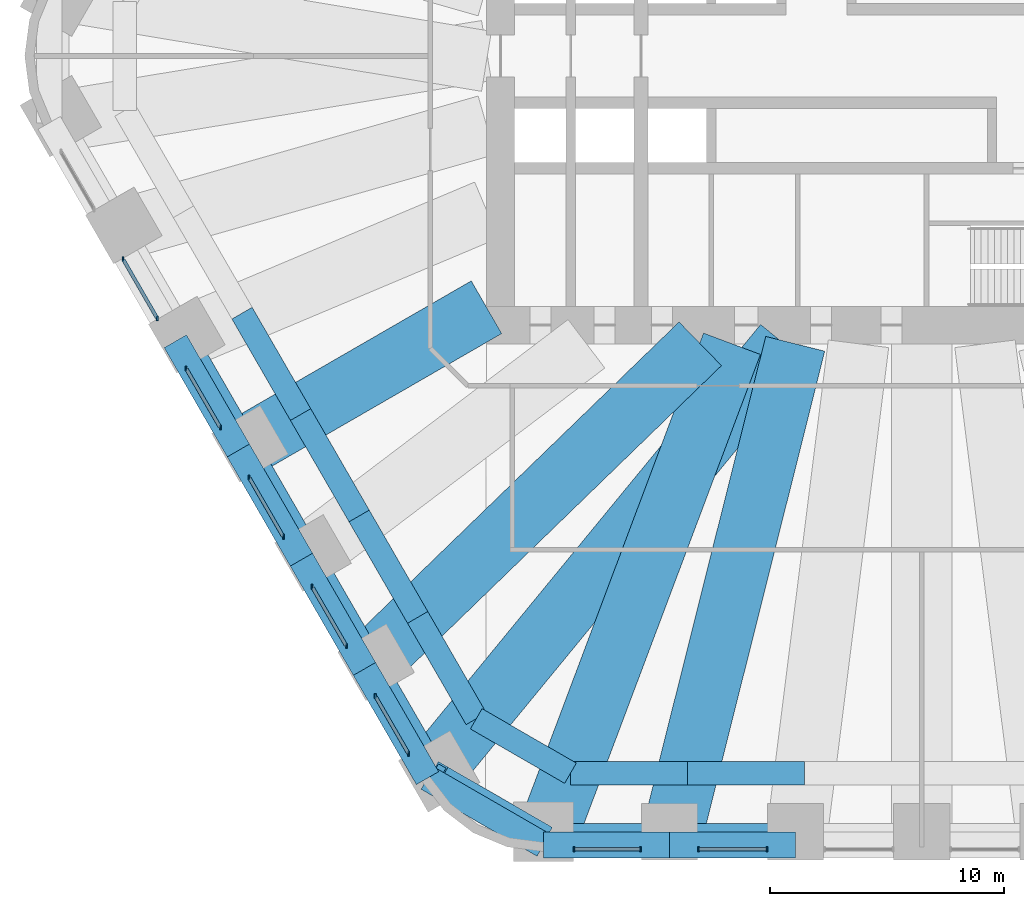
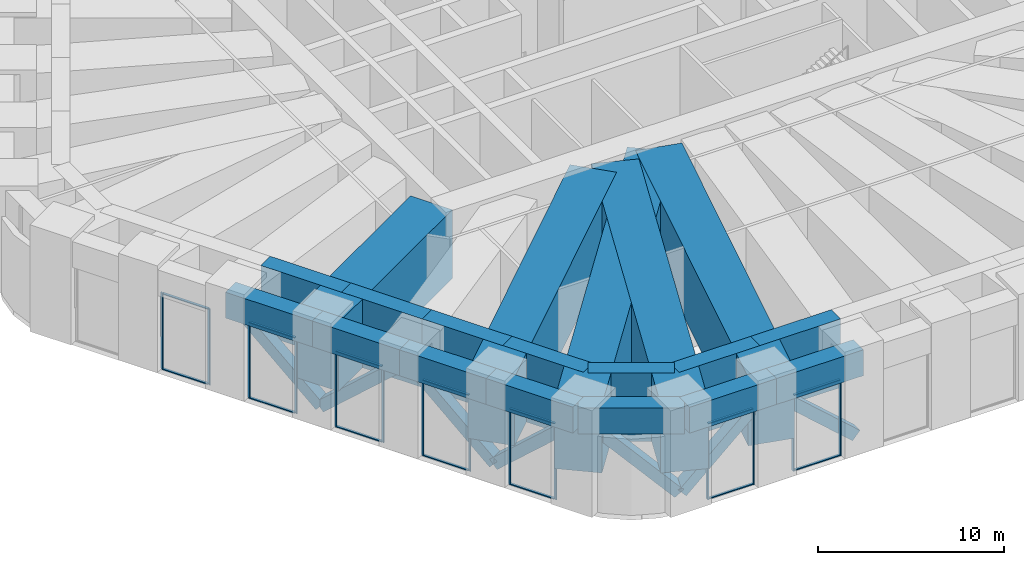
# One storey, part 2 of 17: 35 members, 19 beams, 7 elements without a shape of their own.
"""IFC4 building model written with IfcOpenShell, lengths in metres."""

from ifc_helpers import new_model, si_unit, direction, frame, origin, origin_2d, place, context, subcontext, project, spatial, rectangle, hollow_rectangle, extrude, material, material_profile, profile_set, type_object, element, aggregate, save


model = new_model("IFC4")

# Units and contexts
model_context = context("Model", 3, precision=1e-05, world=origin(), true_north=direction((0.0, 1.0)))
body_context = subcontext(model_context, "Body", "Model", "MODEL_VIEW")
ifc_project = project(units=[si_unit("LENGTHUNIT", "METRE"), si_unit("AREAUNIT", "SQUARE_METRE"), si_unit("VOLUMEUNIT", "CUBIC_METRE"), si_unit("PLANEANGLEUNIT", "RADIAN"), si_unit("MASSUNIT", "GRAM", prefix="KILO")], contexts=[model_context])

# Site, building, storey
site_placement = place(None, origin())
site = spatial("IfcSite", under=ifc_project, at=site_placement, CompositionType="ELEMENT")
building_placement = place(site_placement, origin())
building = spatial("IfcBuilding", under=site, at=building_placement, Name="Tarfa Lantern Tower", CompositionType="ELEMENT")
storey_placement = place(building_placement, frame((0.0, 0.0, 107.5)))
storey = spatial("IfcBuildingStorey", under=building, at=storey_placement, Name="L24", CompositionType="ELEMENT", Elevation=107.5)

# Members
ifc_material_1 = material(Name="Steel S460M", Category="steel")
ifc_material_profile_1 = material_profile(ifc_material_1, hollow_rectangle(XDim=0.699951171875, YDim=0.699951171875, WallThickness=0.080078125, at=origin_2d()), Name="BOX700x700x80")
ifc_profile_set_1 = profile_set([ifc_material_profile_1], Name="Steel S460M")
member_type_1 = type_object("IfcMemberType", Name="BT1 BOX700x700x80", PredefinedType="BRACE", material=ifc_profile_set_1)
for number, where, z_axis, x_axis, name in (
    (1, (-28.708740234375, -16.574951171875, 0.60009765625), (-0.373372204356, 0.64666874901, 0.665141132444), (-0.866015065331, -0.500017906299, 0.0), "Belt truss diagonal 24"),
    (2, (-28.708740234375, -16.574951171875, 0.60009765625), (0.373364035688, -0.646688432601, 0.66512658043), (0.866026392449, 0.499998287579, 0.0), "Belt truss diagonal 25"),
    (3, (-23.320068359375, -25.908447265625, 0.60009765625), (-0.373364035688, 0.646688432601, 0.66512658043), (-0.866026392449, -0.499998287579, 0.0), "Belt truss diagonal 26"),
    (4, (-23.320068359375, -25.908447265625, 0.60009765625), (0.373372204356, -0.64666874901, 0.665141132444), (0.866015065331, 0.500017906299, 0.0), "Belt truss diagonal 27"),
):
    element("IfcMember", number, at=place(storey_placement, frame(where, z_axis=z_axis, x_axis=x_axis)), inside=storey, type_object=member_type_1, Name=name, PredefinedType="BRACE", context=body_context, shape_type="SweptSolid", body=[
        extrude(hollow_rectangle(XDim=0.699951171875, YDim=0.699951171875, WallThickness=0.080078125, at=origin_2d()), origin(), (0.0, 0.0, 1.0), 7.21630859375),
    ])
member_1_placement = place(storey_placement, frame((-16.165771484375, -33.14990234375, 0.60009765625), z_axis=(-0.633529001799, 0.365766935733, 0.681803162654), x_axis=(-0.499998765615, -0.866026116456, 0.0)))
element("IfcMember", 5, at=member_1_placement, inside=storey, type_object=member_type_1, Name="Belt truss diagonal 28", PredefinedType="BRACE", context=body_context, shape_type="SweptSolid", body=[
    extrude(hollow_rectangle(XDim=0.699951171875, YDim=0.699951171875, WallThickness=0.080078125, at=origin_2d()), origin(), (0.0, 0.0, 1.0), 7.039794921875),
])
member_2_placement = place(storey_placement, frame((-16.165771484375, -33.14990234375, 0.60009765625), z_axis=(0.746729497416, 0.0, 0.665127850634), x_axis=(0.0, 1.0, 0.0)))
element("IfcMember", 6, at=member_2_placement, inside=storey, type_object=member_type_1, Name="Belt truss diagonal 29", PredefinedType="BRACE", context=body_context, shape_type="SweptSolid", body=[
    extrude(hollow_rectangle(XDim=0.699951171875, YDim=0.699951171875, WallThickness=0.080078125, at=origin_2d()), origin(), (0.0, 0.0, 1.0), 7.21630859375),
])
member_3_placement = place(storey_placement, frame((-5.388671875, -33.14990234375, 0.60009765625), z_axis=(-0.746714529948, 0.0, 0.665144654015), x_axis=(0.0, -1.0, 0.0)))
element("IfcMember", 7, at=member_3_placement, inside=storey, type_object=member_type_1, Name="Belt truss diagonal 30", PredefinedType="BRACE", context=body_context, shape_type="SweptSolid", body=[
    extrude(hollow_rectangle(XDim=0.699951171875, YDim=0.699951171875, WallThickness=0.080078125, at=origin_2d()), origin(), (0.0, 0.0, 1.0), 7.216064453125),
])

# Curtain wall, members
ifc_material_2 = material(Name="Aluminium framed curtain wall", Category="aluminium")
curtain_wall_type = type_object("IfcCurtainWallType", Name="CW6 LOUVRED SCREEN WALL 5000", PredefinedType="USERDEFINED", material=ifc_material_2)
curtain_wall_1_placement = place(storey_placement, origin())
curtain_wall_1 = element("IfcCurtainWall", 8, at=curtain_wall_1_placement, inside=storey, type_object=curtain_wall_type, Name="CW6 SW L24", ObjectType="CURTAIN WALL", PredefinedType="USERDEFINED")
ifc_material_3 = material(Name="Aluminium mullion", Category="aluminium")
ifc_material_profile_2 = material_profile(ifc_material_3, rectangle(XDim=0.06494140625, YDim=0.199951171875, at=origin_2d()), Name="AL MULLION 65x200")
ifc_profile_set_2 = profile_set([ifc_material_profile_2], Name="Aluminium mullion")
member_type_2 = type_object("IfcMemberType", Name="CWM1 MULLION 65x200", PredefinedType="MULLION", material=ifc_profile_set_2)
member_4_placement = place(storey_placement, frame((-34.130615234375, -8.68408203125, 0.0), z_axis=(0.0, 0.0, 1.0), x_axis=(1.0, 0.0, 0.0)))
member_4 = element("IfcMember", 9, at=member_4_placement, type_object=member_type_2, Name="CW6 mullion 1", PredefinedType="MULLION", context=body_context, shape_type="SweptSolid", body=[
    extrude(rectangle(XDim=0.06494140625, YDim=0.199951171875, at=origin_2d()), origin(), (0.0, 0.0, 1.0), 5.0),
])
member_5_placement = place(storey_placement, frame((-32.668701171875, -11.216064453125, 0.0), z_axis=(0.0, 0.0, 1.0), x_axis=(1.0, 0.0, 0.0)))
member_5 = element("IfcMember", 10, at=member_5_placement, type_object=member_type_2, Name="CW6 mullion 2", PredefinedType="MULLION", context=body_context, shape_type="SweptSolid", body=[
    extrude(rectangle(XDim=0.06494140625, YDim=0.199951171875, at=origin_2d()), origin(), (0.0, 0.0, 1.0), 5.0),
])

curtain_wall_2_placement = place(storey_placement, origin())
curtain_wall_2 = element("IfcCurtainWall", 11, at=curtain_wall_2_placement, inside=storey, type_object=curtain_wall_type, Name="CW6 SW L24", ObjectType="CURTAIN WALL", PredefinedType="USERDEFINED")
member_6_placement = place(storey_placement, frame((-31.436279296875, -13.350830078125, 0.0), z_axis=(0.0, 0.0, 1.0), x_axis=(1.0, 0.0, 0.0)))
member_6 = element("IfcMember", 12, at=member_6_placement, type_object=member_type_2, Name="CW6 mullion 1", PredefinedType="MULLION", context=body_context, shape_type="SweptSolid", body=[
    extrude(rectangle(XDim=0.06494140625, YDim=0.199951171875, at=origin_2d()), origin(), (0.0, 0.0, 1.0), 5.0),
])
member_7_placement = place(storey_placement, frame((-29.974609375, -15.882568359375, 0.0), z_axis=(0.0, 0.0, 1.0), x_axis=(1.0, 0.0, 0.0)))
member_7 = element("IfcMember", 13, at=member_7_placement, type_object=member_type_2, Name="CW6 mullion 2", PredefinedType="MULLION", context=body_context, shape_type="SweptSolid", body=[
    extrude(rectangle(XDim=0.06494140625, YDim=0.199951171875, at=origin_2d()), origin(), (0.0, 0.0, 1.0), 5.0),
])

curtain_wall_3_placement = place(storey_placement, origin())
curtain_wall_3 = element("IfcCurtainWall", 14, at=curtain_wall_3_placement, inside=storey, type_object=curtain_wall_type, Name="CW6 SW L24", ObjectType="CURTAIN WALL", PredefinedType="USERDEFINED")
member_8_placement = place(storey_placement, frame((-28.741943359375, -18.017333984375, 0.0), z_axis=(0.0, 0.0, 1.0), x_axis=(1.0, 0.0, 0.0)))
member_8 = element("IfcMember", 15, at=member_8_placement, type_object=member_type_2, Name="CW6 mullion 1", PredefinedType="MULLION", context=body_context, shape_type="SweptSolid", body=[
    extrude(rectangle(XDim=0.06494140625, YDim=0.199951171875, at=origin_2d()), origin(), (0.0, 0.0, 1.0), 5.0),
])
member_9_placement = place(storey_placement, frame((-27.2802734375, -20.54931640625, 0.0), z_axis=(0.0, 0.0, 1.0), x_axis=(1.0, 0.0, 0.0)))
member_9 = element("IfcMember", 16, at=member_9_placement, type_object=member_type_2, Name="CW6 mullion 2", PredefinedType="MULLION", context=body_context, shape_type="SweptSolid", body=[
    extrude(rectangle(XDim=0.06494140625, YDim=0.199951171875, at=origin_2d()), origin(), (0.0, 0.0, 1.0), 5.0),
])

curtain_wall_4_placement = place(storey_placement, origin())
curtain_wall_4 = element("IfcCurtainWall", 17, at=curtain_wall_4_placement, inside=storey, type_object=curtain_wall_type, Name="CW6 SW L24", ObjectType="CURTAIN WALL", PredefinedType="USERDEFINED")
member_10_placement = place(storey_placement, frame((-26.047607421875, -22.68408203125, 0.0), z_axis=(0.0, 0.0, 1.0), x_axis=(1.0, 0.0, 0.0)))
member_10 = element("IfcMember", 18, at=member_10_placement, type_object=member_type_2, Name="CW6 mullion 1", PredefinedType="MULLION", context=body_context, shape_type="SweptSolid", body=[
    extrude(rectangle(XDim=0.06494140625, YDim=0.199951171875, at=origin_2d()), origin(), (0.0, 0.0, 1.0), 5.0),
])
member_11_placement = place(storey_placement, frame((-24.5859375, -25.216064453125, 0.0), z_axis=(0.0, 0.0, 1.0), x_axis=(1.0, 0.0, 0.0)))
member_11 = element("IfcMember", 19, at=member_11_placement, type_object=member_type_2, Name="CW6 mullion 2", PredefinedType="MULLION", context=body_context, shape_type="SweptSolid", body=[
    extrude(rectangle(XDim=0.06494140625, YDim=0.199951171875, at=origin_2d()), origin(), (0.0, 0.0, 1.0), 5.0),
])

curtain_wall_5_placement = place(storey_placement, origin())
curtain_wall_5 = element("IfcCurtainWall", 20, at=curtain_wall_5_placement, inside=storey, type_object=curtain_wall_type, Name="CW6 SW L24", ObjectType="CURTAIN WALL", PredefinedType="USERDEFINED")
member_12_placement = place(storey_placement, frame((-23.353515625, -27.350830078125, 0.0), z_axis=(0.0, 0.0, 1.0), x_axis=(1.0, 0.0, 0.0)))
member_12 = element("IfcMember", 21, at=member_12_placement, type_object=member_type_2, Name="CW6 mullion 1", PredefinedType="MULLION", context=body_context, shape_type="SweptSolid", body=[
    extrude(rectangle(XDim=0.06494140625, YDim=0.199951171875, at=origin_2d()), origin(), (0.0, 0.0, 1.0), 5.0),
])
member_13_placement = place(storey_placement, frame((-21.92919921875, -29.817626953125, 0.0), z_axis=(0.0, 0.0, 1.0), x_axis=(1.0, 0.0, 0.0)))
member_13 = element("IfcMember", 22, at=member_13_placement, type_object=member_type_2, Name="CW6 mullion 2", PredefinedType="MULLION", context=body_context, shape_type="SweptSolid", body=[
    extrude(rectangle(XDim=0.06494140625, YDim=0.199951171875, at=origin_2d()), origin(), (0.0, 0.0, 1.0), 5.0),
])

curtain_wall_6_placement = place(storey_placement, origin())
curtain_wall_6 = element("IfcCurtainWall", 23, at=curtain_wall_6_placement, inside=storey, type_object=curtain_wall_type, Name="CW6 S L24", ObjectType="CURTAIN WALL", PredefinedType="USERDEFINED")
member_14_placement = place(storey_placement, frame((-14.8583984375, -33.89990234375, 0.0), z_axis=(0.0, 0.0, 1.0), x_axis=(1.0, 0.0, 0.0)))
member_14 = element("IfcMember", 24, at=member_14_placement, type_object=member_type_2, Name="CW6 mullion 1", PredefinedType="MULLION", context=body_context, shape_type="SweptSolid", body=[
    extrude(rectangle(XDim=0.06494140625, YDim=0.199951171875, at=origin_2d()), origin(), (0.0, 0.0, 1.0), 5.0),
])
member_15_placement = place(storey_placement, frame((-12.009765625, -33.89990234375, 0.0), z_axis=(0.0, 0.0, 1.0), x_axis=(1.0, 0.0, 0.0)))
member_15 = element("IfcMember", 25, at=member_15_placement, type_object=member_type_2, Name="CW6 mullion 2", PredefinedType="MULLION", context=body_context, shape_type="SweptSolid", body=[
    extrude(rectangle(XDim=0.06494140625, YDim=0.199951171875, at=origin_2d()), origin(), (0.0, 0.0, 1.0), 5.0),
])

curtain_wall_7_placement = place(storey_placement, origin())
curtain_wall_7 = element("IfcCurtainWall", 26, at=curtain_wall_7_placement, inside=storey, type_object=curtain_wall_type, Name="CW6 S L24", ObjectType="CURTAIN WALL", PredefinedType="USERDEFINED")
member_16_placement = place(storey_placement, frame((-9.544677734375, -33.89990234375, 0.0), z_axis=(0.0, 0.0, 1.0), x_axis=(1.0, 0.0, 0.0)))
member_16 = element("IfcMember", 27, at=member_16_placement, type_object=member_type_2, Name="CW6 mullion 1", PredefinedType="MULLION", context=body_context, shape_type="SweptSolid", body=[
    extrude(rectangle(XDim=0.06494140625, YDim=0.199951171875, at=origin_2d()), origin(), (0.0, 0.0, 1.0), 5.0),
])
member_17_placement = place(storey_placement, frame((-6.62109375, -33.89990234375, 0.0), z_axis=(0.0, 0.0, 1.0), x_axis=(1.0, 0.0, 0.0)))
member_17 = element("IfcMember", 28, at=member_17_placement, type_object=member_type_2, Name="CW6 mullion 2", PredefinedType="MULLION", context=body_context, shape_type="SweptSolid", body=[
    extrude(rectangle(XDim=0.06494140625, YDim=0.199951171875, at=origin_2d()), origin(), (0.0, 0.0, 1.0), 5.0),
])

# Member
ifc_material_4 = material(Name="Aluminium transom", Category="aluminium")
ifc_material_profile_3 = material_profile(ifc_material_4, rectangle(XDim=0.14990234375, YDim=0.06494140625, at=origin_2d()), Name="AL TRANSOM 150x65")
ifc_profile_set_3 = profile_set([ifc_material_profile_3], Name="Aluminium transom")
member_type_3 = type_object("IfcMemberType", Name="CWT1 TRANSOM 150x65", PredefinedType="USERDEFINED", material=ifc_profile_set_3)
member_18_placement = place(storey_placement, frame((-34.1142578125, -8.712158203125, 0.032470703125), z_axis=(0.499978750566, -0.866037671803, 0.0), x_axis=(0.866037671803, 0.499978750566, 0.0)))
member_18 = element("IfcMember", 29, at=member_18_placement, type_object=member_type_3, Name="CW6 transom 1.1", ObjectType="TRANSOM", PredefinedType="USERDEFINED", context=body_context, shape_type="SweptSolid", body=[
    extrude(rectangle(XDim=0.14990234375, YDim=0.06494140625, at=origin_2d()), origin(), (0.0, 0.0, 1.0), 2.8583984375),
])

member_19_placement = place(storey_placement, frame((-34.1142578125, -8.712158203125, 4.967529296875), z_axis=(0.499978750566, -0.866037671803, 0.0), x_axis=(0.866037671803, 0.499978750566, 0.0)))
member_19 = element("IfcMember", 30, at=member_19_placement, type_object=member_type_3, Name="CW6 transom 1.2", ObjectType="TRANSOM", PredefinedType="USERDEFINED", context=body_context, shape_type="SweptSolid", body=[
    extrude(rectangle(XDim=0.14990234375, YDim=0.06494140625, at=origin_2d()), origin(), (0.0, 0.0, 1.0), 2.8583984375),
])

aggregate(curtain_wall_1, [member_4, member_5, member_18, member_19])

member_20_placement = place(storey_placement, frame((-31.420166015625, -13.37890625, 0.032470703125), z_axis=(0.500042804318, -0.866000689289, 0.0), x_axis=(0.866000689289, 0.500042804318, 0.0)))
member_20 = element("IfcMember", 31, at=member_20_placement, type_object=member_type_3, Name="CW6 transom 1.1", ObjectType="TRANSOM", PredefinedType="USERDEFINED", context=body_context, shape_type="SweptSolid", body=[
    extrude(rectangle(XDim=0.14990234375, YDim=0.06494140625, at=origin_2d()), origin(), (0.0, 0.0, 1.0), 2.858642578125),
])

member_21_placement = place(storey_placement, frame((-31.420166015625, -13.37890625, 4.967529296875), z_axis=(0.500042804318, -0.866000689289, 0.0), x_axis=(0.866000689289, 0.500042804318, 0.0)))
member_21 = element("IfcMember", 32, at=member_21_placement, type_object=member_type_3, Name="CW6 transom 1.2", ObjectType="TRANSOM", PredefinedType="USERDEFINED", context=body_context, shape_type="SweptSolid", body=[
    extrude(rectangle(XDim=0.14990234375, YDim=0.06494140625, at=origin_2d()), origin(), (0.0, 0.0, 1.0), 2.858642578125),
])

aggregate(curtain_wall_2, [member_6, member_7, member_20, member_21])

member_22_placement = place(storey_placement, frame((-28.725830078125, -18.04541015625, 0.032470703125), z_axis=(0.500005823294, -0.866022041678, 0.0), x_axis=(0.866022041678, 0.500005823294, 0.0)))
member_22 = element("IfcMember", 33, at=member_22_placement, type_object=member_type_3, Name="CW6 transom 1.1", ObjectType="TRANSOM", PredefinedType="USERDEFINED", context=body_context, shape_type="SweptSolid", body=[
    extrude(rectangle(XDim=0.14990234375, YDim=0.06494140625, at=origin_2d()), origin(), (0.0, 0.0, 1.0), 2.85888671875),
])

member_23_placement = place(storey_placement, frame((-28.725830078125, -18.04541015625, 4.967529296875), z_axis=(0.500005823294, -0.866022041678, 0.0), x_axis=(0.866022041678, 0.500005823294, 0.0)))
member_23 = element("IfcMember", 34, at=member_23_placement, type_object=member_type_3, Name="CW6 transom 1.2", ObjectType="TRANSOM", PredefinedType="USERDEFINED", context=body_context, shape_type="SweptSolid", body=[
    extrude(rectangle(XDim=0.14990234375, YDim=0.06494140625, at=origin_2d()), origin(), (0.0, 0.0, 1.0), 2.85888671875),
])

aggregate(curtain_wall_3, [member_8, member_9, member_22, member_23])

member_24_placement = place(storey_placement, frame((-26.031494140625, -22.712158203125, 0.032470703125), z_axis=(0.500042804318, -0.866000689289, 0.0), x_axis=(0.866000689289, 0.500042804318, 0.0)))
member_24 = element("IfcMember", 35, at=member_24_placement, type_object=member_type_3, Name="CW6 transom 1.1", ObjectType="TRANSOM", PredefinedType="USERDEFINED", context=body_context, shape_type="SweptSolid", body=[
    extrude(rectangle(XDim=0.14990234375, YDim=0.06494140625, at=origin_2d()), origin(), (0.0, 0.0, 1.0), 2.858642578125),
])

member_25_placement = place(storey_placement, frame((-26.031494140625, -22.712158203125, 4.967529296875), z_axis=(0.500042804318, -0.866000689289, 0.0), x_axis=(0.866000689289, 0.500042804318, 0.0)))
member_25 = element("IfcMember", 36, at=member_25_placement, type_object=member_type_3, Name="CW6 transom 1.2", ObjectType="TRANSOM", PredefinedType="USERDEFINED", context=body_context, shape_type="SweptSolid", body=[
    extrude(rectangle(XDim=0.14990234375, YDim=0.06494140625, at=origin_2d()), origin(), (0.0, 0.0, 1.0), 2.858642578125),
])

aggregate(curtain_wall_4, [member_10, member_11, member_24, member_25])

member_26_placement = place(storey_placement, frame((-23.337158203125, -27.37890625, 0.032470703125), z_axis=(0.500016013541, -0.866016158165, 0.0), x_axis=(0.866016158165, 0.500016013541, 0.0)))
member_26 = element("IfcMember", 37, at=member_26_placement, type_object=member_type_3, Name="CW6 transom 1.1", ObjectType="TRANSOM", PredefinedType="USERDEFINED", context=body_context, shape_type="SweptSolid", body=[
    extrude(rectangle(XDim=0.14990234375, YDim=0.06494140625, at=origin_2d()), origin(), (0.0, 0.0, 1.0), 2.78369140625),
])

member_27_placement = place(storey_placement, frame((-23.337158203125, -27.37890625, 4.967529296875), z_axis=(0.500016013541, -0.866016158165, 0.0), x_axis=(0.866016158165, 0.500016013541, 0.0)))
member_27 = element("IfcMember", 38, at=member_27_placement, type_object=member_type_3, Name="CW6 transom 1.2", ObjectType="TRANSOM", PredefinedType="USERDEFINED", context=body_context, shape_type="SweptSolid", body=[
    extrude(rectangle(XDim=0.14990234375, YDim=0.06494140625, at=origin_2d()), origin(), (0.0, 0.0, 1.0), 2.78369140625),
])

aggregate(curtain_wall_5, [member_12, member_13, member_26, member_27])

member_28_placement = place(storey_placement, frame((-14.825927734375, -33.89990234375, 0.032470703125), z_axis=(1.0, 0.0, 0.0), x_axis=(0.0, 1.0, 0.0)))
member_28 = element("IfcMember", 39, at=member_28_placement, type_object=member_type_3, Name="CW6 transom 1.1", ObjectType="TRANSOM", PredefinedType="USERDEFINED", context=body_context, shape_type="SweptSolid", body=[
    extrude(rectangle(XDim=0.14990234375, YDim=0.06494140625, at=origin_2d()), origin(), (0.0, 0.0, 1.0), 2.78369140625),
])

member_29_placement = place(storey_placement, frame((-14.825927734375, -33.89990234375, 4.967529296875), z_axis=(1.0, 0.0, 0.0), x_axis=(0.0, 1.0, 0.0)))
member_29 = element("IfcMember", 40, at=member_29_placement, type_object=member_type_3, Name="CW6 transom 1.2", ObjectType="TRANSOM", PredefinedType="USERDEFINED", context=body_context, shape_type="SweptSolid", body=[
    extrude(rectangle(XDim=0.14990234375, YDim=0.06494140625, at=origin_2d()), origin(), (0.0, 0.0, 1.0), 2.78369140625),
])

aggregate(curtain_wall_6, [member_14, member_15, member_28, member_29])

member_30_placement = place(storey_placement, frame((-9.51220703125, -33.89990234375, 0.032470703125), z_axis=(1.0, 0.0, 0.0), x_axis=(0.0, 1.0, 0.0)))
member_30 = element("IfcMember", 41, at=member_30_placement, type_object=member_type_3, Name="CW6 transom 1.1", ObjectType="TRANSOM", PredefinedType="USERDEFINED", context=body_context, shape_type="SweptSolid", body=[
    extrude(rectangle(XDim=0.14990234375, YDim=0.06494140625, at=origin_2d()), origin(), (0.0, 0.0, 1.0), 2.858642578125),
])

member_31_placement = place(storey_placement, frame((-9.51220703125, -33.89990234375, 4.967529296875), z_axis=(1.0, 0.0, 0.0), x_axis=(0.0, 1.0, 0.0)))
member_31 = element("IfcMember", 42, at=member_31_placement, type_object=member_type_3, Name="CW6 transom 1.2", ObjectType="TRANSOM", PredefinedType="USERDEFINED", context=body_context, shape_type="SweptSolid", body=[
    extrude(rectangle(XDim=0.14990234375, YDim=0.06494140625, at=origin_2d()), origin(), (0.0, 0.0, 1.0), 2.858642578125),
])

aggregate(curtain_wall_7, [member_16, member_17, member_30, member_31])

# Beams
ifc_material_5 = material(Name="Concrete C80/95", Category="concrete")
ifc_material_profile_4 = material_profile(ifc_material_5, rectangle(XDim=1.10009765625, YDim=1.699951171875, at=origin_2d()), Name="RC 1100x1700")
ifc_profile_set_4 = profile_set([ifc_material_profile_4], Name="Concrete C80/95")
beam_type_1 = type_object("IfcBeamType", Name="RB1 RC 1100x1700", PredefinedType="BEAM", material=ifc_profile_set_4)
beam_1_placement = place(storey_placement, frame((-31.896728515625, -12.193359375, 5.85009765625), z_axis=(0.499998287579, -0.866026392449, 0.0), x_axis=(0.866026392449, 0.499998287579, 0.0)))
element("IfcBeam", 43, at=beam_1_placement, inside=storey, type_object=beam_type_1, Name="Edge beam SW2", PredefinedType="BEAM", context=body_context, shape_type="SweptSolid", body=[
    extrude(rectangle(XDim=1.10009765625, YDim=1.699951171875, at=origin_2d()), origin(), (0.0, 0.0, 1.0), 5.388671875),
])
beam_2_placement = place(storey_placement, frame((-29.202392578125, -16.860107421875, 5.85009765625), z_axis=(0.500017906299, -0.866015065331, 0.0), x_axis=(0.866015065331, 0.500017906299, 0.0)))
element("IfcBeam", 44, at=beam_2_placement, inside=storey, type_object=beam_type_1, Name="Edge beam SW3", PredefinedType="BEAM", context=body_context, shape_type="SweptSolid", body=[
    extrude(rectangle(XDim=1.10009765625, YDim=1.699951171875, at=origin_2d()), origin(), (0.0, 0.0, 1.0), 5.388427734375),
])
for number, where, z_axis, x_axis, name in (
    (45, (-26.508056640625, -21.526611328125, 5.85009765625), (0.499998287579, -0.866026392449, 0.0), (0.866026392449, 0.499998287579, 0.0), "Edge beam SW4"),
    (46, (-23.813720703125, -26.193359375, 5.85009765625), (0.499998287579, -0.866026392449, 0.0), (0.866026392449, 0.499998287579, 0.0), "Edge beam SW5"),
):
    element("IfcBeam", number, at=place(storey_placement, frame(where, z_axis=z_axis, x_axis=x_axis)), inside=storey, type_object=beam_type_1, Name=name, PredefinedType="BEAM", context=body_context, shape_type="SweptSolid", body=[
        extrude(rectangle(XDim=1.10009765625, YDim=1.699951171875, at=origin_2d()), origin(), (0.0, 0.0, 1.0), 5.388671875),
    ])
beam_3_placement = place(storey_placement, frame((-21.119384765625, -30.860107421875, 5.85009765625), z_axis=(0.866033479681, -0.499986011877, 0.0), x_axis=(0.499986011877, 0.866033479681, 0.0)))
element("IfcBeam", 47, at=beam_3_placement, inside=storey, type_object=beam_type_1, Name="Edge beam SW6", PredefinedType="BEAM", context=body_context, shape_type="SweptSolid", body=[
    extrude(rectangle(XDim=1.10009765625, YDim=1.699951171875, at=origin_2d()), origin(), (0.0, 0.0, 1.0), 5.719970703125),
])
beam_4_placement = place(storey_placement, frame((-16.165771484375, -33.719970703125, 5.85009765625), z_axis=(1.0, 0.0, 0.0), x_axis=(0.0, 1.0, 0.0)))
element("IfcBeam", 48, at=beam_4_placement, inside=storey, type_object=beam_type_1, Name="Edge beam S0", PredefinedType="BEAM", context=body_context, shape_type="SweptSolid", body=[
    extrude(rectangle(XDim=1.10009765625, YDim=1.699951171875, at=origin_2d()), origin(), (0.0, 0.0, 1.0), 5.388671875),
])
beam_5_placement = place(storey_placement, frame((-10.777099609375, -33.719970703125, 5.85009765625), z_axis=(1.0, 0.0, 0.0), x_axis=(0.0, 1.0, 0.0)))
element("IfcBeam", 49, at=beam_5_placement, inside=storey, type_object=beam_type_1, Name="Edge beam S1", PredefinedType="BEAM", context=body_context, shape_type="SweptSolid", body=[
    extrude(rectangle(XDim=1.10009765625, YDim=1.699951171875, at=origin_2d()), origin(), (0.0, 0.0, 1.0), 5.388427734375),
])
ifc_material_profile_5 = material_profile(ifc_material_5, rectangle(XDim=1.0, YDim=4.5, at=origin_2d()), Name="RC 1000x4500")
ifc_profile_set_5 = profile_set([ifc_material_profile_5], Name="Concrete C80/95")
beam_type_2 = type_object("IfcBeamType", Name="RG1 RC 1000x4500", PredefinedType="BEAM", material=ifc_profile_set_5)
beam_6_placement = place(storey_placement, frame((-29.04541015625, -10.99169921875, 4.449951171875), z_axis=(0.49998573051, -0.866033642122, 0.0), x_axis=(0.866033642122, 0.49998573051, 0.0)))
element("IfcBeam", 50, at=beam_6_placement, inside=storey, type_object=beam_type_2, Name="Ring girder SW2", PredefinedType="BEAM", context=body_context, shape_type="SweptSolid", body=[
    extrude(rectangle(XDim=1.0, YDim=4.5, at=origin_2d()), origin(), (0.0, 0.0, 1.0), 5.003662109375),
])
beam_7_placement = place(storey_placement, frame((-26.543701171875, -15.324951171875, 4.449951171875), z_axis=(0.500001197378, -0.866024712477, 0.0), x_axis=(0.866024712477, 0.500001197378, 0.0)))
element("IfcBeam", 51, at=beam_7_placement, inside=storey, type_object=beam_type_2, Name="Ring girder SW3", PredefinedType="BEAM", context=body_context, shape_type="SweptSolid", body=[
    extrude(rectangle(XDim=1.0, YDim=4.5, at=origin_2d()), origin(), (0.0, 0.0, 1.0), 5.00390625),
])
for number, where, z_axis, x_axis, name in (
    (52, (-24.041748046875, -19.658447265625, 4.449951171875), (0.49998573051, -0.866033642122, 0.0), (0.866033642122, 0.49998573051, 0.0), "Ring girder SW4"),
    (53, (-21.5400390625, -23.99169921875, 4.449951171875), (0.500022324899, -0.866012514114, 0.0), (0.866012514114, 0.500022324899, 0.0), "Ring girder SW5"),
):
    element("IfcBeam", number, at=place(storey_placement, frame(where, z_axis=z_axis, x_axis=x_axis)), inside=storey, type_object=beam_type_2, Name=name, PredefinedType="BEAM", context=body_context, shape_type="SweptSolid", body=[
        extrude(rectangle(XDim=1.0, YDim=4.5, at=origin_2d()), origin(), (0.0, 0.0, 1.0), 5.003662109375),
    ])
beam_8_placement = place(storey_placement, frame((-19.0380859375, -28.324951171875, 4.449951171875), z_axis=(0.866034331223, -0.499984536904, 0.0), x_axis=(0.499984536904, 0.866034331223, 0.0)))
element("IfcBeam", 54, at=beam_8_placement, inside=storey, type_object=beam_type_2, Name="Ring girder SW6", PredefinedType="BEAM", context=body_context, shape_type="SweptSolid", body=[
    extrude(rectangle(XDim=1.0, YDim=4.5, at=origin_2d()), origin(), (0.0, 0.0, 1.0), 4.650146484375),
])
for number, where, z_axis, x_axis, name in (
    (55, (-15.010986328125, -30.64990234375, 4.449951171875), (1.0, 0.0, 0.0), (0.0, 1.0, 0.0), "Ring girder S0"),
    (56, (-10.00732421875, -30.64990234375, 4.449951171875), (1.0, 0.0, 0.0), (0.0, 1.0, 0.0), "Ring girder S1"),
):
    element("IfcBeam", number, at=place(storey_placement, frame(where, z_axis=z_axis, x_axis=x_axis)), inside=storey, type_object=beam_type_2, Name=name, PredefinedType="BEAM", context=body_context, shape_type="SweptSolid", body=[
        extrude(rectangle(XDim=1.0, YDim=4.5, at=origin_2d()), origin(), (0.0, 0.0, 1.0), 5.003662109375),
    ])
ifc_material_profile_6 = material_profile(ifc_material_5, rectangle(XDim=2.60009765625, YDim=4.5, at=origin_2d()), Name="RC 2600x4500")
ifc_profile_set_6 = profile_set([ifc_material_profile_6], Name="Concrete C80/95")
beam_type_3 = type_object("IfcBeamType", Name="TG1 RC 2600x4500", PredefinedType="BEAM", material=ifc_profile_set_6)
beam_9_placement = place(storey_placement, frame((-29.202392578125, -16.860107421875, 4.449951171875), z_axis=(0.866021864563, 0.500006130062, 0.0), x_axis=(-0.500006130062, 0.866021864563, 0.0)))
element("IfcBeam", 57, at=beam_9_placement, inside=storey, type_object=beam_type_3, Name="Transfer girder SW3", PredefinedType="BEAM", context=body_context, shape_type="SweptSolid", body=[
    extrude(rectangle(XDim=2.60009765625, YDim=4.5, at=origin_2d()), origin(), (0.0, 0.0, 1.0), 12.242431640625),
])
beam_10_placement = place(storey_placement, frame((-23.813720703125, -26.193359375, 4.449951171875), z_axis=(0.718407622494, 0.695622374526, 0.0), x_axis=(-0.695622374526, 0.718407622494, 0.0)))
element("IfcBeam", 58, at=beam_10_placement, inside=storey, type_object=beam_type_3, Name="Transfer girder SW5", PredefinedType="BEAM", context=body_context, shape_type="SweptSolid", body=[
    extrude(rectangle(XDim=2.60009765625, YDim=4.5, at=origin_2d()), origin(), (0.0, 0.0, 1.0), 19.972412109375),
])
beam_11_placement = place(storey_placement, frame((-21.119384765625, -30.860107421875, 4.449951171875), z_axis=(0.634559460716, 0.772874045894, 0.0), x_axis=(-0.772874045894, 0.634559460716, 0.0)))
element("IfcBeam", 59, at=beam_11_placement, inside=storey, type_object=beam_type_3, Name="Transfer girder SW6", PredefinedType="BEAM", context=body_context, shape_type="SweptSolid", body=[
    extrude(rectangle(XDim=2.60009765625, YDim=4.5, at=origin_2d()), origin(), (0.0, 0.0, 1.0), 24.014404296875),
])
beam_12_placement = place(storey_placement, frame((-16.165771484375, -33.719970703125, 4.449951171875), z_axis=(0.352049207544, 0.935981493123, 0.0), x_axis=(-0.935981493123, 0.352049207544, 0.0)))
element("IfcBeam", 60, at=beam_12_placement, inside=storey, type_object=beam_type_3, Name="Transfer girder S0", PredefinedType="BEAM", context=body_context, shape_type="SweptSolid", body=[
    extrude(rectangle(XDim=2.60009765625, YDim=4.5, at=origin_2d()), origin(), (0.0, 0.0, 1.0), 22.885009765625),
])
beam_13_placement = place(storey_placement, frame((-10.777099609375, -33.719970703125, 4.449951171875), z_axis=(0.243211908028, 0.969973178904, 0.0), x_axis=(-0.969973178904, 0.243211908028, 0.0)))
element("IfcBeam", 61, at=beam_13_placement, inside=storey, type_object=beam_type_3, Name="Transfer girder S1", PredefinedType="BEAM", context=body_context, shape_type="SweptSolid", body=[
    extrude(rectangle(XDim=2.60009765625, YDim=4.5, at=origin_2d()), origin(), (0.0, 0.0, 1.0), 22.0830078125),
])

save(model, "model.ifc")
